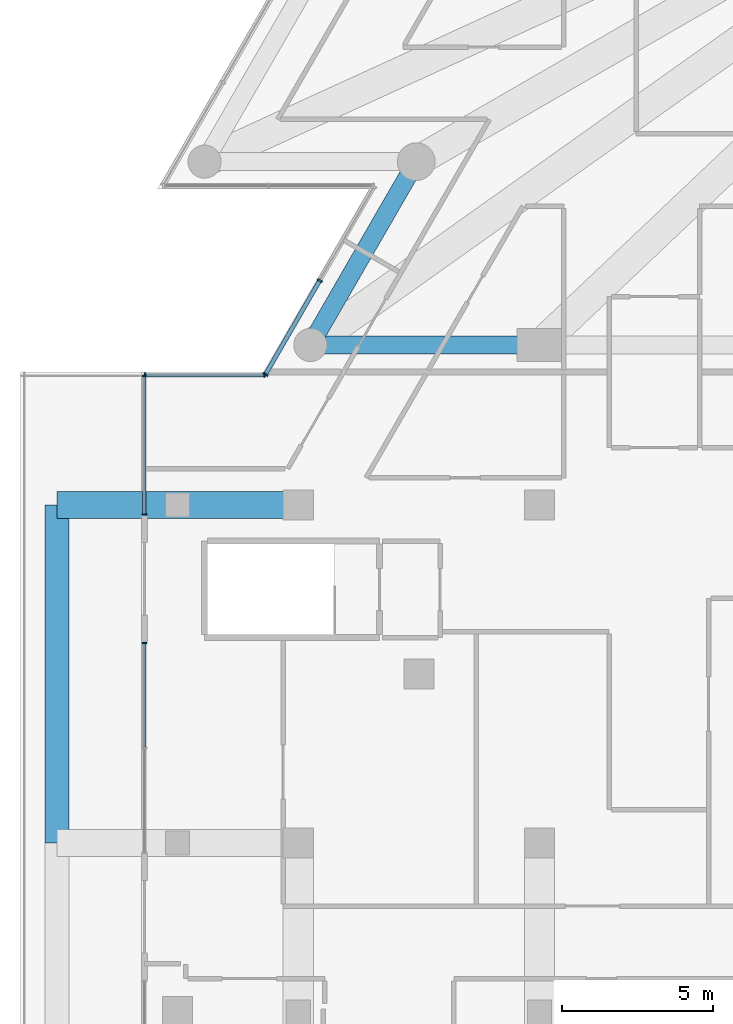
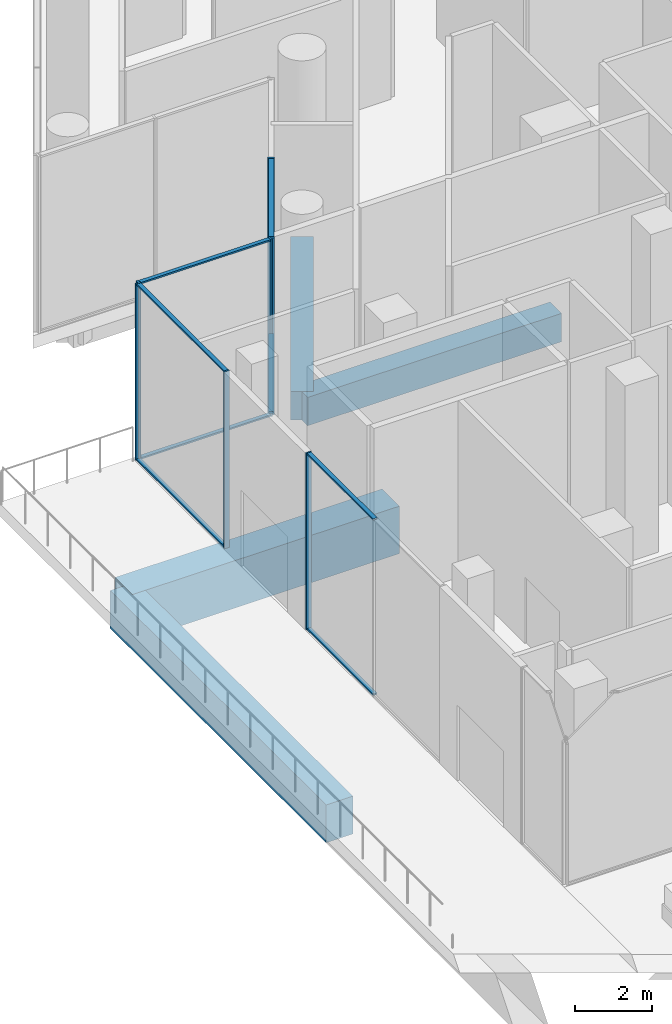
# One storey, part 4 of 36: 15 members, 4 beams, 4 elements without a shape of their own.
"""IFC4 building model written with IfcOpenShell, lengths in metres."""

from ifc_helpers import new_model, si_unit, direction, frame, origin, origin_2d, place, context, subcontext, project, spatial, rectangle, extrude, material, layer, layer_set, material_profile, profile_set, type_object, element, aggregate, save


model = new_model("IFC4")

# Units and contexts
model_context = context("Model", 3, precision=1e-05, world=origin(), true_north=direction((0.0, 1.0)))
body_context = subcontext(model_context, "Body", "Model", "MODEL_VIEW")
ifc_project = project(units=[si_unit("LENGTHUNIT", "METRE"), si_unit("AREAUNIT", "SQUARE_METRE"), si_unit("VOLUMEUNIT", "CUBIC_METRE"), si_unit("PLANEANGLEUNIT", "RADIAN"), si_unit("MASSUNIT", "GRAM", prefix="KILO")], contexts=[model_context])

# Site, building, storey
site_placement = place(None, origin())
site = spatial("IfcSite", under=ifc_project, at=site_placement, CompositionType="ELEMENT")
building_placement = place(site_placement, origin())
building = spatial("IfcBuilding", under=site, at=building_placement, Name="Triada Interchange Tower", CompositionType="ELEMENT")
storey_placement = place(building_placement, frame((0.0, 0.0, 8.5)))
storey = spatial("IfcBuildingStorey", under=building, at=storey_placement, Name="L01", CompositionType="ELEMENT", Elevation=8.5)

# Curtain wall, members
ifc_material_1 = material(Name="Aluminium framed glazing", Category="aluminium")
ifc_layer_1 = layer(ifc_material_1, 0.199951171875)
ifc_layer_set_1 = layer_set([ifc_layer_1], Name="Curtain wall Retail shopfront")
curtain_wall_type_1 = type_object("IfcCurtainWallType", Name="Curtain wall Retail shopfront", PredefinedType="NOTDEFINED", material=ifc_layer_set_1)
curtain_wall_1_placement = place(storey_placement, origin())
curtain_wall_1 = element("IfcCurtainWall", 1, at=curtain_wall_1_placement, inside=storey, type_object=curtain_wall_type_1, Name="Retail shopfront CW037 L01", PredefinedType="NOTDEFINED")
ifc_material_2 = material(Name="Aluminium", Category="aluminium")
ifc_material_profile_1 = material_profile(ifc_material_2, rectangle(XDim=0.14990234375, YDim=0.050048828125, at=origin_2d()), Name="Aluminium mullion")
ifc_profile_set_1 = profile_set([ifc_material_profile_1], Name="Aluminium")
member_type_1 = type_object("IfcMemberType", Name="Mullion Retail shopfront 150x50", PredefinedType="MULLION", material=ifc_profile_set_1)
member_1_placement = place(storey_placement, frame((-31.923095703125, -22.60009765625, 0.0), z_axis=(0.0, 0.0, 1.0), x_axis=(0.0, -1.0, 0.0)))
member_1 = element("IfcMember", 2, at=member_1_placement, type_object=member_type_1, Name="CW037 mullion 1", PredefinedType="MULLION", context=body_context, shape_type="SweptSolid", body=[
    extrude(rectangle(XDim=0.14990234375, YDim=0.050048828125, at=origin_2d()), origin(), (0.0, 0.0, 1.0), 5.60009765625),
])
member_2_placement = place(storey_placement, frame((-35.875, -22.60009765625, 0.0), z_axis=(0.0, 0.0, 1.0), x_axis=(0.0, -1.0, 0.0)))
member_2 = element("IfcMember", 3, at=member_2_placement, type_object=member_type_1, Name="CW037 mullion 2", PredefinedType="MULLION", context=body_context, shape_type="SweptSolid", body=[
    extrude(rectangle(XDim=0.14990234375, YDim=0.050048828125, at=origin_2d()), origin(), (0.0, 0.0, 1.0), 5.60009765625),
])

curtain_wall_2_placement = place(storey_placement, origin())
curtain_wall_2 = element("IfcCurtainWall", 4, at=curtain_wall_2_placement, inside=storey, type_object=curtain_wall_type_1, Name="Retail shopfront CW038 L01", PredefinedType="NOTDEFINED")
member_3_placement = place(storey_placement, frame((-35.89990234375, -22.625, 0.0), z_axis=(0.0, 0.0, 1.0), x_axis=(1.0, 0.0, 0.0)))
member_3 = element("IfcMember", 5, at=member_3_placement, type_object=member_type_1, Name="CW038 mullion 1", PredefinedType="MULLION", context=body_context, shape_type="SweptSolid", body=[
    extrude(rectangle(XDim=0.14990234375, YDim=0.050048828125, at=origin_2d()), origin(), (0.0, 0.0, 1.0), 5.60009765625),
])
member_4_placement = place(storey_placement, frame((-35.89990234375, -27.22509765625, 0.0), z_axis=(0.0, 0.0, 1.0), x_axis=(1.0, 0.0, 0.0)))
member_4 = element("IfcMember", 6, at=member_4_placement, type_object=member_type_1, Name="CW038 mullion 2", PredefinedType="MULLION", context=body_context, shape_type="SweptSolid", body=[
    extrude(rectangle(XDim=0.14990234375, YDim=0.050048828125, at=origin_2d()), origin(), (0.0, 0.0, 1.0), 5.60009765625),
])

# Curtain wall, member
curtain_wall_3_placement = place(storey_placement, origin())
curtain_wall_3 = element("IfcCurtainWall", 7, at=curtain_wall_3_placement, inside=storey, type_object=curtain_wall_type_1, Name="Retail shopfront CW039 L01", PredefinedType="NOTDEFINED")
member_5_placement = place(storey_placement, frame((-35.89990234375, -31.47509765625, 0.0), z_axis=(0.0, 0.0, 1.0), x_axis=(1.0, 0.0, 0.0)))
member_5 = element("IfcMember", 8, at=member_5_placement, type_object=member_type_1, Name="CW039 mullion 1", PredefinedType="MULLION", context=body_context, shape_type="SweptSolid", body=[
    extrude(rectangle(XDim=0.14990234375, YDim=0.050048828125, at=origin_2d()), origin(), (0.0, 0.0, 1.0), 5.60009765625),
])

# Curtain wall, members
ifc_layer_2 = layer(ifc_material_1, 0.199951171875)
ifc_layer_set_2 = layer_set([ifc_layer_2], Name="Curtain wall Tower lobby glazing")
curtain_wall_type_2 = type_object("IfcCurtainWallType", Name="Curtain wall Tower lobby glazing", PredefinedType="NOTDEFINED", material=ifc_layer_set_2)
curtain_wall_4_placement = place(storey_placement, origin())
curtain_wall_4 = element("IfcCurtainWall", 9, at=curtain_wall_4_placement, inside=storey, type_object=curtain_wall_type_2, Name="Tower lobby glazing CW036 L01", PredefinedType="NOTDEFINED")
ifc_material_profile_2 = material_profile(ifc_material_2, rectangle(XDim=0.179931640625, YDim=0.06005859375, at=origin_2d()), Name="Aluminium mullion")
ifc_profile_set_2 = profile_set([ifc_material_profile_2], Name="Aluminium")
member_type_2 = type_object("IfcMemberType", Name="Mullion Tower lobby glazing 180x60", PredefinedType="MULLION", material=ifc_profile_set_2)
member_6_placement = place(storey_placement, frame((-30.0869140625, -19.46240234375, 0.0), z_axis=(0.0, 0.0, 1.0), x_axis=(0.866077569894, -0.499909634761, 0.0)))
member_6 = element("IfcMember", 10, at=member_6_placement, type_object=member_type_2, Name="CW036 mullion 2", PredefinedType="MULLION", context=body_context, shape_type="SweptSolid", body=[
    extrude(rectangle(XDim=0.179931640625, YDim=0.06005859375, at=origin_2d()), origin(), (0.0, 0.0, 1.0), 5.60009765625),
])
member_7_placement = place(storey_placement, frame((-31.883056640625, -22.573974609375, 0.0), z_axis=(0.0, 0.0, 1.0), x_axis=(0.866077569894, -0.499909634761, 0.0)))
member_7 = element("IfcMember", 11, at=member_7_placement, type_object=member_type_2, Name="CW036 mullion 3", PredefinedType="MULLION", context=body_context, shape_type="SweptSolid", body=[
    extrude(rectangle(XDim=0.179931640625, YDim=0.06005859375, at=origin_2d()), origin(), (0.0, 0.0, 1.0), 5.60009765625),
])

# Beams
ifc_material_3 = material(Name="Concrete C50/60", Category="concrete")
ifc_material_profile_3 = material_profile(ifc_material_3, rectangle(XDim=0.60009765625, YDim=0.89990234375, at=origin_2d()), Name="RC 600x900")
ifc_profile_set_3 = profile_set([ifc_material_profile_3], Name="Concrete C50/60")
beam_type_1 = type_object("IfcBeamType", Name="Spandrel beam P RC 600x900", PredefinedType="BEAM", material=ifc_profile_set_3)
beam_1_placement = place(storey_placement, frame((-26.889892578125, -15.52490234375, -0.85009765625), z_axis=(-0.499953429515, -0.866052289597, 0.0), x_axis=(0.866052289597, -0.499953429515, 0.0)))
element("IfcBeam", 12, at=beam_1_placement, inside=storey, type_object=beam_type_1, Name="Spandrel beam EP10 L01", PredefinedType="BEAM", context=body_context, shape_type="SweptSolid", body=[
    extrude(rectangle(XDim=0.60009765625, YDim=0.89990234375, at=origin_2d()), origin(), (0.0, 0.0, 1.0), 7.014892578125),
])
beam_2_placement = place(storey_placement, frame((-30.39697265625, -21.60009765625, -0.85009765625), z_axis=(1.0, 0.0, 0.0), x_axis=(0.0, 1.0, 0.0)))
element("IfcBeam", 13, at=beam_2_placement, inside=storey, type_object=beam_type_1, Name="Spandrel beam EP11 L01", PredefinedType="BEAM", context=body_context, shape_type="SweptSolid", body=[
    extrude(rectangle(XDim=0.60009765625, YDim=0.89990234375, at=origin_2d()), origin(), (0.0, 0.0, 1.0), 7.598876953125),
])
ifc_material_4 = material(Name="Concrete C40/50", Category="concrete")
ifc_material_profile_4 = material_profile(ifc_material_4, rectangle(XDim=0.800048828125, YDim=1.199951171875, at=origin_2d()), Name="RC 800x1200")
ifc_profile_set_4 = profile_set([ifc_material_profile_4], Name="Concrete C40/50")
beam_type_2 = type_object("IfcBeamType", Name="Terrace beam RC 800x1200", PredefinedType="BEAM", material=ifc_profile_set_4)
beam_3_placement = place(storey_placement, frame((-38.800048828125, -38.10009765625, -1.0), z_axis=(0.0, 1.0, 0.0), x_axis=(-1.0, 0.0, 0.0)))
element("IfcBeam", 14, at=beam_3_placement, inside=storey, type_object=beam_type_2, Name="Terrace beam TE03 L01", PredefinedType="BEAM", context=body_context, shape_type="SweptSolid", body=[
    extrude(rectangle(XDim=0.800048828125, YDim=1.199951171875, at=origin_2d()), origin(), (0.0, 0.0, 1.0), 11.2001953125),
])
ifc_material_profile_5 = material_profile(ifc_material_3, rectangle(XDim=0.89990234375, YDim=1.5, at=origin_2d()), Name="RC 900x1500")
ifc_profile_set_5 = profile_set([ifc_material_profile_5], Name="Concrete C50/60")
beam_type_3 = type_object("IfcBeamType", Name="Transfer girder RC 900x1500", PredefinedType="BEAM", material=ifc_profile_set_5)
beam_4_placement = place(storey_placement, frame((-38.800048828125, -26.89990234375, -1.14990234375), z_axis=(1.0, 0.0, 0.0), x_axis=(0.0, 1.0, 0.0)))
element("IfcBeam", 15, at=beam_4_placement, inside=storey, type_object=beam_type_3, Name="Transfer girder TG02 L01", PredefinedType="BEAM", context=body_context, shape_type="SweptSolid", body=[
    extrude(rectangle(XDim=0.89990234375, YDim=1.5, at=origin_2d()), origin(), (0.0, 0.0, 1.0), 8.0),
])

# Member
ifc_material_profile_6 = material_profile(ifc_material_2, rectangle(XDim=0.1201171875, YDim=0.050048828125, at=origin_2d()), Name="Aluminium transom")
ifc_profile_set_6 = profile_set([ifc_material_profile_6], Name="Aluminium")
member_type_3 = type_object("IfcMemberType", Name="Transom Retail shopfront 120x50", PredefinedType="USERDEFINED", material=ifc_profile_set_6)
member_8_placement = place(storey_placement, frame((-31.947998046875, -22.60009765625, 0.02490234375), z_axis=(-1.0, 0.0, 0.0), x_axis=(0.0, -1.0, 0.0)))
member_8 = element("IfcMember", 16, at=member_8_placement, type_object=member_type_3, Name="CW037 transom 1.1", ObjectType="TRANSOM", PredefinedType="USERDEFINED", context=body_context, shape_type="SweptSolid", body=[
    extrude(rectangle(XDim=0.1201171875, YDim=0.050048828125, at=origin_2d()), origin(), (0.0, 0.0, 1.0), 3.902099609375),
])

member_9_placement = place(storey_placement, frame((-31.947998046875, -22.60009765625, 5.574951171875), z_axis=(-1.0, 0.0, 0.0), x_axis=(0.0, -1.0, 0.0)))
member_9 = element("IfcMember", 17, at=member_9_placement, type_object=member_type_3, Name="CW037 transom 1.2", ObjectType="TRANSOM", PredefinedType="USERDEFINED", context=body_context, shape_type="SweptSolid", body=[
    extrude(rectangle(XDim=0.1201171875, YDim=0.050048828125, at=origin_2d()), origin(), (0.0, 0.0, 1.0), 3.902099609375),
])

aggregate(curtain_wall_1, [member_1, member_2, member_8, member_9])

member_10_placement = place(storey_placement, frame((-35.89990234375, -22.64990234375, 0.02490234375), z_axis=(0.0, -1.0, 0.0), x_axis=(1.0, 0.0, 0.0)))
member_10 = element("IfcMember", 18, at=member_10_placement, type_object=member_type_3, Name="CW038 transom 1.1", ObjectType="TRANSOM", PredefinedType="USERDEFINED", context=body_context, shape_type="SweptSolid", body=[
    extrude(rectangle(XDim=0.1201171875, YDim=0.050048828125, at=origin_2d()), origin(), (0.0, 0.0, 1.0), 4.550048828125),
])

member_11_placement = place(storey_placement, frame((-35.89990234375, -22.64990234375, 5.574951171875), z_axis=(0.0, -1.0, 0.0), x_axis=(1.0, 0.0, 0.0)))
member_11 = element("IfcMember", 19, at=member_11_placement, type_object=member_type_3, Name="CW038 transom 1.2", ObjectType="TRANSOM", PredefinedType="USERDEFINED", context=body_context, shape_type="SweptSolid", body=[
    extrude(rectangle(XDim=0.1201171875, YDim=0.050048828125, at=origin_2d()), origin(), (0.0, 0.0, 1.0), 4.550048828125),
])

aggregate(curtain_wall_2, [member_3, member_4, member_10, member_11])

member_12_placement = place(storey_placement, frame((-35.89990234375, -31.5, 0.02490234375), z_axis=(0.0, -1.0, 0.0), x_axis=(1.0, 0.0, 0.0)))
member_12 = element("IfcMember", 20, at=member_12_placement, type_object=member_type_3, Name="CW039 transom 1.1", ObjectType="TRANSOM", PredefinedType="USERDEFINED", context=body_context, shape_type="SweptSolid", body=[
    extrude(rectangle(XDim=0.1201171875, YDim=0.050048828125, at=origin_2d()), origin(), (0.0, 0.0, 1.0), 3.425048828125),
])

member_13_placement = place(storey_placement, frame((-35.89990234375, -31.5, 5.574951171875), z_axis=(0.0, -1.0, 0.0), x_axis=(1.0, 0.0, 0.0)))
member_13 = element("IfcMember", 21, at=member_13_placement, type_object=member_type_3, Name="CW039 transom 1.2", ObjectType="TRANSOM", PredefinedType="USERDEFINED", context=body_context, shape_type="SweptSolid", body=[
    extrude(rectangle(XDim=0.1201171875, YDim=0.050048828125, at=origin_2d()), origin(), (0.0, 0.0, 1.0), 3.425048828125),
])

aggregate(curtain_wall_3, [member_5, member_12, member_13])

ifc_material_profile_7 = material_profile(ifc_material_2, rectangle(XDim=0.139892578125, YDim=0.06005859375, at=origin_2d()), Name="Aluminium transom")
ifc_profile_set_7 = profile_set([ifc_material_profile_7], Name="Aluminium")
member_type_4 = type_object("IfcMemberType", Name="Transom Tower lobby glazing 140x60", PredefinedType="USERDEFINED", material=ifc_profile_set_7)
member_14_placement = place(storey_placement, frame((-30.10205078125, -19.488525390625, 0.030029296875), z_axis=(-0.499878002131, -0.866095827831, 0.0), x_axis=(0.866095827831, -0.499878002131, 0.0)))
member_14 = element("IfcMember", 22, at=member_14_placement, type_object=member_type_4, Name="CW036 transom 2.1", ObjectType="TRANSOM", PredefinedType="USERDEFINED", context=body_context, shape_type="SweptSolid", body=[
    extrude(rectangle(XDim=0.139892578125, YDim=0.06005859375, at=origin_2d()), origin(), (0.0, 0.0, 1.0), 3.53271484375),
])

member_15_placement = place(storey_placement, frame((-30.10205078125, -19.488525390625, 5.570068359375), z_axis=(-0.499878002131, -0.866095827831, 0.0), x_axis=(0.866095827831, -0.499878002131, 0.0)))
member_15 = element("IfcMember", 23, at=member_15_placement, type_object=member_type_4, Name="CW036 transom 2.2", ObjectType="TRANSOM", PredefinedType="USERDEFINED", context=body_context, shape_type="SweptSolid", body=[
    extrude(rectangle(XDim=0.139892578125, YDim=0.06005859375, at=origin_2d()), origin(), (0.0, 0.0, 1.0), 3.53271484375),
])

aggregate(curtain_wall_4, [member_6, member_7, member_14, member_15])

save(model, "model.ifc")
